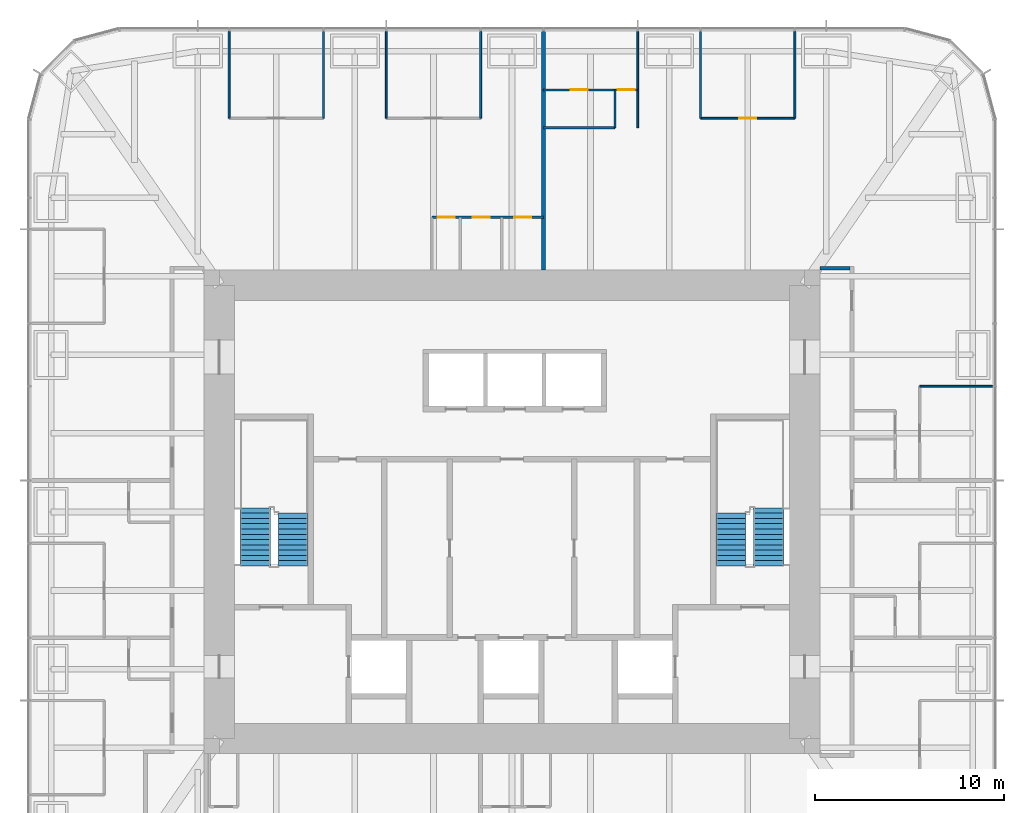
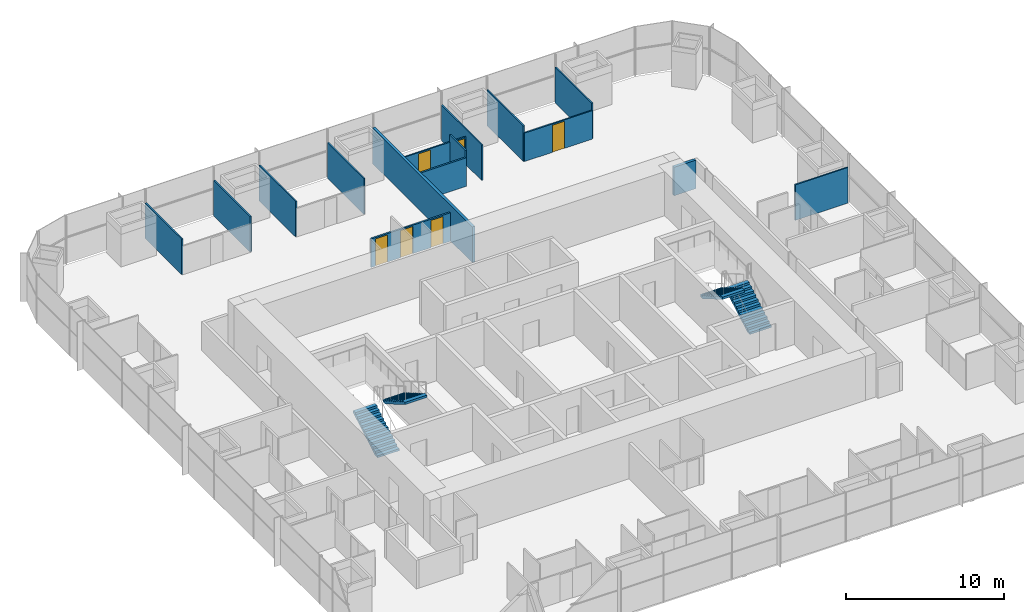
# One storey, part 12 of 13: 15 walls, 6 doors, 4 stair flights, 6 openings, 2 elements without a shape of their own.
"""IFC4 building model written with IfcOpenShell, lengths in metres."""

import ifcopenshell
import ifcopenshell.guid

model = None  # the IFC model being written
_history = None  # IfcOwnerHistory: only IFC2X3 demands one
_inside = {}  # id of a spatial element -> (the spatial element, [elements in it])
_under = {}  # id of a project, library or spatial element -> (it, [spatial elements below it])
_declared = {}  # id of a project -> (the project, [libraries it declares])
_typed = {}  # id of a type object -> (the type object, [elements of that type])
_made_of = {}  # id of a material, layer set ... -> (it, [elements and type objects made of it])


def new_model(schema):
    """Start an empty IFC model of exactly this schema.

    Asked for "IFC4X3", IfcOpenShell would pick the latest addendum, in which some entities
    have other attributes; the version numbers below select the first issue.
    IFC2X3 requires an IfcOwnerHistory on every rooted entity: one is made here for all.
    """
    global model, _history
    if schema == "IFC4X3":
        model = ifcopenshell.file(schema_version=(4, 3, 0, 0))
    else:
        model = ifcopenshell.file(schema=schema)
    _inside.clear()
    _under.clear()
    _declared.clear()
    _typed.clear()
    _made_of.clear()
    _history = None
    if model.schema == "IFC2X3":
        org = make("IfcOrganization", Name="unknown")
        user = make(
            "IfcPersonAndOrganization",
            ThePerson=make("IfcPerson", FamilyName="unknown"),
            TheOrganization=org,
        )
        app = make(
            "IfcApplication",
            ApplicationDeveloper=org,
            Version="unknown",
            ApplicationFullName="unknown",
            ApplicationIdentifier="unknown",
        )
        _history = make(
            "IfcOwnerHistory",
            OwningUser=user,
            OwningApplication=app,
            ChangeAction="ADDED",
            CreationDate=0,
        )
    return model


def make(cls, **values):
    """One entity of the class cls with the attributes given. An attribute that is None is left unset."""
    return model.create_entity(
        cls, **{name: value for name, value in values.items() if value is not None}
    )


def rooted(cls, **values):
    """An entity with a GlobalId (a new one), such as an element, a storey or a relation."""
    return make(cls, GlobalId=ifcopenshell.guid.new(), OwnerHistory=_history, **values)


def si_unit(unit_type, name, prefix=None):
    """IfcSIUnit, for example si_unit("LENGTHUNIT", "METRE", prefix="MILLI")."""
    return make("IfcSIUnit", UnitType=unit_type, Prefix=prefix, Name=name)


def assignment(units):
    """IfcUnitAssignment: the units of a project."""
    return None if units is None else make("IfcUnitAssignment", Units=units)


def point(xyz):
    """IfcCartesianPoint."""
    return None if xyz is None else make("IfcCartesianPoint", Coordinates=xyz)


def direction(xyz):
    """IfcDirection."""
    return None if xyz is None else make("IfcDirection", DirectionRatios=xyz)


def frame(location, z_axis=None, x_axis=None):
    """IfcAxis2Placement3D, a coordinate frame: its origin and axes. An axis left out is left unset."""
    return make(
        "IfcAxis2Placement3D",
        Location=point(location),
        Axis=direction(z_axis),
        RefDirection=direction(x_axis),
    )


def frame_2d(location, x_axis=None):
    """IfcAxis2Placement2D, a coordinate frame in the plane: its origin and x axis."""
    return make(
        "IfcAxis2Placement2D", Location=point(location), RefDirection=direction(x_axis)
    )


def origin():
    """The frame at (0, 0, 0) with its axes left unset."""
    return frame((0.0, 0.0, 0.0))


def place(relative_to, where):
    """IfcLocalPlacement: puts the frame where relative to a parent placement (None: the world)."""
    return make(
        "IfcLocalPlacement", PlacementRelTo=relative_to, RelativePlacement=where
    )


def context(
    kind, dimensions, precision=None, world=None, true_north=None, identifier=None
):
    """IfcGeometricRepresentationContext, for example the 3D "Model" context."""
    return make(
        "IfcGeometricRepresentationContext",
        ContextIdentifier=identifier,
        ContextType=kind,
        CoordinateSpaceDimension=dimensions,
        Precision=precision,
        WorldCoordinateSystem=world,
        TrueNorth=true_north,
    )


def subcontext(parent, identifier, kind, view, scale=None):
    """IfcGeometricRepresentationSubContext, for example "Body" below "Model"."""
    return make(
        "IfcGeometricRepresentationSubContext",
        ContextIdentifier=identifier,
        ContextType=kind,
        ParentContext=parent,
        TargetScale=scale,
        TargetView=view,
    )


def project(units=None, contexts=None):
    """IfcProject with its units and contexts."""
    return rooted(
        "IfcProject",
        Name="project",
        RepresentationContexts=contexts,
        UnitsInContext=assignment(units),
    )


def spatial(cls, under=None, at=None, **own):
    """A site, building, storey or space (cls), placed at a placement, below another one or the project."""
    s = rooted(cls, ObjectPlacement=at, **own)
    if under is not None:
        _under.setdefault(under.id(), (under, []))[1].append(s)
    return s


def polyline(points):
    """IfcPolyline through the points."""
    return make("IfcPolyline", Points=[point(p) for p in points])


def profile(cls, at=None, kind="AREA", **sizes):
    """A parametric profile (cls). Its sizes go by their IFC names, for example OverallWidth=200.0."""
    return make(cls, ProfileType=kind, Position=at, **sizes)


def rectangle(**sizes):
    """IfcRectangleProfileDef."""
    return profile("IfcRectangleProfileDef", **sizes)


def outline(outer, holes=None, kind="AREA"):
    """IfcArbitraryClosedProfileDef: a profile drawn as a closed curve; with holes, ...WithVoids."""
    if holes is None:
        return make("IfcArbitraryClosedProfileDef", ProfileType=kind, OuterCurve=outer)
    return make(
        "IfcArbitraryProfileDefWithVoids",
        ProfileType=kind,
        OuterCurve=outer,
        InnerCurves=holes,
    )


def extrude(swept, where, along, depth):
    """IfcExtrudedAreaSolid: the profile swept, set in the frame where, extruded along a direction by depth."""
    return make(
        "IfcExtrudedAreaSolid",
        SweptArea=swept,
        Position=where,
        ExtrudedDirection=direction(along),
        Depth=depth,
    )


def shape(context_of_items, identifier, shape_type, items):
    """IfcShapeRepresentation: the items that make up one representation, for example the "Body"."""
    return make(
        "IfcShapeRepresentation",
        ContextOfItems=context_of_items,
        RepresentationIdentifier=identifier,
        RepresentationType=shape_type,
        Items=items,
    )


def material(Name=None, Category=None):
    """IfcMaterial."""
    return make("IfcMaterial", Name=Name, Category=Category)


def layer(
    of_material, thickness, ventilated=None, Name=None, Category=None, Priority=None
):
    """IfcMaterialLayer: one layer of a wall or slab, of a material (None: an air gap)."""
    return make(
        "IfcMaterialLayer",
        Material=of_material,
        LayerThickness=thickness,
        IsVentilated=ventilated,
        Name=Name,
        Category=Category,
        Priority=Priority,
    )


def layer_set(layers, Name=None):
    """IfcMaterialLayerSet."""
    return make("IfcMaterialLayerSet", MaterialLayers=layers, LayerSetName=Name)


def made_of(thing, what):
    """Note that an element or type object is made of a material, layer set ...; save() writes the relation."""
    if what is not None:
        _made_of.setdefault(what.id(), (what, []))[1].append(thing)
    return thing


def type_object(cls, material=None, **own):
    """A type object (cls), such as IfcWallType, which elements share."""
    return made_of(rooted(cls, **own), material)


def element(
    cls,
    number,
    at=None,
    inside=None,
    cuts=None,
    type_object=None,
    material=None,
    context=None,
    identifier="Body",
    shape_type=None,
    held_by="IfcProductDefinitionShape",
    body=None,
    shapes=None,
    **own,
):
    """One element of the class cls, such as IfcWall. Its Tag is "e" and its number.

    at: its placement. inside: the storey or other place that contains it. cuts: it is an
    opening in that element (IfcRelVoidsElement). A single representation is given by context,
    identifier, shape_type and body (its items); several are given by shapes. held_by: the class
    of the entity that holds the representations. save() writes the other relations.
    """
    e = rooted(cls, Tag="e%d" % number, ObjectPlacement=at, **own)
    if body is not None:
        shapes = [shape(context, identifier, shape_type, body)]
    if shapes is not None:
        e.Representation = make(held_by, Representations=shapes)
    if inside is not None:
        _inside.setdefault(inside.id(), (inside, []))[1].append(e)
    if cuts is not None:
        rooted(
            "IfcRelVoidsElement", RelatingBuildingElement=cuts, RelatedOpeningElement=e
        )
    if type_object is not None:
        _typed.setdefault(type_object.id(), (type_object, []))[1].append(e)
    return made_of(e, material)


def fill(opening, filler):
    """IfcRelFillsElement: the door or window that sits in an opening."""
    return rooted(
        "IfcRelFillsElement",
        RelatingOpeningElement=opening,
        RelatedBuildingElement=filler,
    )


def aggregate(whole, parts):
    """IfcRelAggregates: a whole, such as a stair, and the parts it consists of."""
    return rooted("IfcRelAggregates", RelatingObject=whole, RelatedObjects=parts)


def save(model, path):
    """Write the relations noted so far, then the file.

    IfcRelAggregates (storeys below a building ...), IfcRelContainedInSpatialStructure (elements
    in a storey), IfcRelDefinesByType, IfcRelAssociatesMaterial and IfcRelDeclares: one each for
    every whole, place, type object, material and project.
    """
    for whole, parts in _under.values():
        aggregate(whole, parts)
    for where, things in _inside.values():
        rooted(
            "IfcRelContainedInSpatialStructure",
            RelatedElements=things,
            RelatingStructure=where,
        )
    for kind, things in _typed.values():
        rooted("IfcRelDefinesByType", RelatedObjects=things, RelatingType=kind)
    for what, things in _made_of.values():
        rooted("IfcRelAssociatesMaterial", RelatedObjects=things, RelatingMaterial=what)
    for by, libraries in _declared.values():
        rooted("IfcRelDeclares", RelatingContext=by, RelatedDefinitions=libraries)
    model.write(path)


model = new_model("IFC4")

# Units and contexts
model_context = context("Model", 3, precision=1e-05, world=origin(), true_north=direction((0.0, 1.0)))
body_context = subcontext(model_context, "Body", "Model", "MODEL_VIEW")
ifc_project = project(units=[si_unit("LENGTHUNIT", "METRE"), si_unit("AREAUNIT", "SQUARE_METRE"), si_unit("VOLUMEUNIT", "CUBIC_METRE"), si_unit("PLANEANGLEUNIT", "RADIAN"), si_unit("MASSUNIT", "GRAM", prefix="KILO")], contexts=[model_context])

# Site, building, storey
site_placement = place(None, origin())
site = spatial("IfcSite", under=ifc_project, at=site_placement, CompositionType="ELEMENT")
building_placement = place(site_placement, origin())
building = spatial("IfcBuilding", under=site, at=building_placement, Name="Khuree Lantern Residences", CompositionType="ELEMENT")
storey_placement = place(building_placement, frame((0.0, 0.0, 274.5)))
storey = spatial("IfcBuildingStorey", under=building, at=storey_placement, Name="L69", CompositionType="ELEMENT", Elevation=274.5)

# Wall
ifc_material_1 = material(Name="Moisture-resistant gypsum board on steel studs", Category="steel")
ifc_layer_1 = layer(ifc_material_1, 0.125)
ifc_layer_set_1 = layer_set([ifc_layer_1], Name="BATHROOM WALL BTW125")
wall_type_1 = type_object("IfcWallType", Name="BATHROOM WALL BTW125", PredefinedType="PARTITIONING", material=ifc_layer_set_1)
wall_1_placement = place(storey_placement, frame((5.4560546875, 20.344970703125, 0.0), z_axis=(0.0, 0.0, 1.0), x_axis=(-1.0, 0.0, 0.0)))
element("IfcWall", 1, at=wall_1_placement, inside=storey, type_object=wall_type_1, Name="L69 BATHROOM WALL 02", PredefinedType="PARTITIONING", context=body_context, shape_type="SweptSolid", body=[
    extrude(rectangle(XDim=3.7919921875, YDim=0.125, at=frame_2d((1.89599609375, 0.0))), origin(), (0.0, 0.0, 1.0), 2.199951171875),
])

# Wall, openings, doors
wall_2_placement = place(storey_placement, frame((1.6640625, 15.60009765625, 0.0), z_axis=(0.0, 0.0, 1.0), x_axis=(-1.0, 0.0, 0.0)))
wall_2 = element("IfcWall", 2, at=wall_2_placement, inside=storey, type_object=wall_type_1, Name="L69 BATHROOM WALL 03", PredefinedType="PARTITIONING", context=body_context, shape_type="SweptSolid", body=[
    extrude(rectangle(XDim=5.900146484375, YDim=0.125, at=frame_2d((2.9501953125, 0.0))), origin(), (0.0, 0.0, 1.0), 2.199951171875),
])
opening_1_placement = place(wall_2_placement, frame((0.64990234375, 0.0, 0.0)))
opening_1 = element("IfcOpeningElement", 3, at=opening_1_placement, cuts=wall_2, Name="Opening 69-033", PredefinedType="OPENING", context=body_context, shape_type="SweptSolid", body=[
    extrude(rectangle(XDim=0.89990234375, YDim=2.10009765625, at=frame_2d((0.449951171875, 1.050048828125))), frame((0.0, 0.072509765625, 0.0), z_axis=(0.0, -1.0, 0.0), x_axis=(1.0, 0.0, 0.0)), (0.0, 0.0, 1.0), 0.14501953125),
])
opening_2_placement = place(wall_2_placement, frame((2.85009765625, 0.0, 0.0)))
opening_2 = element("IfcOpeningElement", 4, at=opening_2_placement, cuts=wall_2, Name="Opening 69-034", PredefinedType="OPENING", context=body_context, shape_type="SweptSolid", body=[
    extrude(rectangle(XDim=0.89990234375, YDim=2.10009765625, at=frame_2d((0.449951171875, 1.050048828125))), frame((0.0, 0.072509765625, 0.0), z_axis=(0.0, -1.0, 0.0), x_axis=(1.0, 0.0, 0.0)), (0.0, 0.0, 1.0), 0.14501953125),
])
opening_3_placement = place(wall_2_placement, frame((4.699951171875, 0.0, 0.0)))
opening_3 = element("IfcOpeningElement", 5, at=opening_3_placement, cuts=wall_2, Name="Opening 69-035", PredefinedType="OPENING", context=body_context, shape_type="SweptSolid", body=[
    extrude(rectangle(XDim=0.89990234375, YDim=2.10009765625, at=frame_2d((0.449951171875, 1.050048828125))), frame((0.0, 0.072509765625, 0.0), z_axis=(0.0, -1.0, 0.0), x_axis=(1.0, 0.0, 0.0)), (0.0, 0.0, 1.0), 0.14501953125),
])
ifc_material_2 = material(Name="Timber door leaf in hardwood frame", Category="wood")
door_type_1 = type_object("IfcDoorType", Name="BATHROOM DOOR 900X2100", OperationType="SINGLE_SWING_LEFT", PredefinedType="DOOR", material=ifc_material_2)
door_1_placement = place(opening_1_placement, origin())
door_1 = element("IfcDoor", 6, at=door_1_placement, inside=storey, type_object=door_type_1, Name="Bathroom door 69-033", OperationType="SINGLE_SWING_LEFT", OverallHeight=2.10009765625, OverallWidth=0.89990234375, PredefinedType="DOOR", context=body_context, shape_type="SweptSolid", body=[
    extrude(rectangle(XDim=0.89990234375, YDim=2.10009765625, at=frame_2d((0.449951171875, 1.050048828125))), frame((0.0, 0.02490234375, 0.0), z_axis=(0.0, -1.0, 0.0), x_axis=(1.0, 0.0, 0.0)), (0.0, 0.0, 1.0), 0.050048828125),
])
fill(opening_1, door_1)
door_2_placement = place(opening_2_placement, origin())
door_2 = element("IfcDoor", 7, at=door_2_placement, inside=storey, type_object=door_type_1, Name="Bathroom door 69-034", OperationType="SINGLE_SWING_LEFT", OverallHeight=2.10009765625, OverallWidth=0.89990234375, PredefinedType="DOOR", context=body_context, shape_type="SweptSolid", body=[
    extrude(rectangle(XDim=0.89990234375, YDim=2.10009765625, at=frame_2d((0.449951171875, 1.050048828125))), frame((0.0, 0.02490234375, 0.0), z_axis=(0.0, -1.0, 0.0), x_axis=(1.0, 0.0, 0.0)), (0.0, 0.0, 1.0), 0.050048828125),
])
fill(opening_2, door_2)
door_type_2 = type_object("IfcDoorType", Name="WC DOOR 900X2100", OperationType="SINGLE_SWING_LEFT", PredefinedType="DOOR", material=ifc_material_2)
door_3_placement = place(opening_3_placement, origin())
door_3 = element("IfcDoor", 8, at=door_3_placement, inside=storey, type_object=door_type_2, Name="WC door 69-035", OperationType="SINGLE_SWING_LEFT", OverallHeight=2.10009765625, OverallWidth=0.89990234375, PredefinedType="DOOR", context=body_context, shape_type="SweptSolid", body=[
    extrude(rectangle(XDim=0.89990234375, YDim=2.10009765625, at=frame_2d((0.449951171875, 1.050048828125))), frame((0.0, 0.02490234375, 0.0), z_axis=(0.0, -1.0, 0.0), x_axis=(1.0, 0.0, 0.0)), (0.0, 0.0, 1.0), 0.050048828125),
])
fill(opening_3, door_3)

# Walls
ifc_material_3 = material(Name="Gypsum board on steel studs", Category="steel")
ifc_layer_2 = layer(ifc_material_3, 0.199951171875)
ifc_layer_set_2 = layer_set([ifc_layer_2], Name="CORRIDOR WALL CRW200 EI 60")
wall_type_2 = type_object("IfcWallType", Name="CORRIDOR WALL CRW200 EI 60", PredefinedType="PARTITIONING", material=ifc_layer_set_2)
wall_3_placement = place(storey_placement, frame((16.300048828125, 12.89990234375, 0.0), z_axis=(0.0, 0.0, 1.0), x_axis=(1.0, 0.0, 0.0)))
element("IfcWall", 9, at=wall_3_placement, inside=storey, type_object=wall_type_2, Name="L69 EAST CORRIDOR NORTH END WALL", PredefinedType="PARTITIONING", context=body_context, shape_type="SweptSolid", body=[
    extrude(rectangle(XDim=1.599853515625, YDim=0.199951171875, at=frame_2d((0.7998046875, 0.0))), origin(), (0.0, 0.0, 1.0), 2.199951171875),
])
ifc_layer_3 = layer(ifc_material_3, 0.199951171875)
ifc_layer_set_3 = layer_set([ifc_layer_3], Name="DEMISING WALL DMW200 EI 90")
wall_type_3 = type_object("IfcWallType", Name="DEMISING WALL DMW200 EI 90", PredefinedType="PARTITIONING", material=ifc_layer_set_3)
wall_4_placement = place(storey_placement, frame((1.6640625, 12.800048828125, 0.0), z_axis=(0.0, 0.0, 1.0), x_axis=(0.0, 1.0, 0.0)))
element("IfcWall", 10, at=wall_4_placement, inside=storey, type_object=wall_type_3, Name="L69 DEMISING WALL 03", PredefinedType="PARTITIONING", context=body_context, shape_type="SweptSolid", body=[
    extrude(rectangle(XDim=12.64990234375, YDim=0.199951171875, at=frame_2d((6.324951171875, 0.0))), origin(), (0.0, 0.0, 1.0), 2.75),
])
ifc_layer_4 = layer(ifc_material_3, 0.10009765625)
ifc_layer_set_4 = layer_set([ifc_layer_4], Name="PARTITION PT100")
wall_type_4 = type_object("IfcWallType", Name="PARTITION PT100", PredefinedType="PARTITIONING", material=ifc_layer_set_4)
wall_5_placement = place(storey_placement, frame((21.60009765625, 6.656005859375, 0.0), z_axis=(0.0, 0.0, 1.0), x_axis=(1.0, 0.0, 0.0)))
element("IfcWall", 11, at=wall_5_placement, inside=storey, type_object=wall_type_4, Name="L69 PARTITION 02", PredefinedType="PARTITIONING", context=body_context, shape_type="SweptSolid", body=[
    extrude(rectangle(XDim=3.849853515625, YDim=0.10009765625, at=frame_2d((1.9248046875, 0.0))), origin(), (0.0, 0.0, 1.0), 2.75),
])
for number, where, z_axis, x_axis, name in (
    (12, (14.97607421875, 20.85009765625, 0.0), (0.0, 0.0, 1.0), (0.0, 1.0, 0.0), "L69 PARTITION 02"),
    (13, (9.98388671875, 20.85009765625, 0.0), (0.0, 0.0, 1.0), (0.0, 1.0, 0.0), "L69 PARTITION 02"),
):
    element("IfcWall", number, at=place(storey_placement, frame(where, z_axis=z_axis, x_axis=x_axis)), inside=storey, type_object=wall_type_4, Name=name, PredefinedType="PARTITIONING", context=body_context, shape_type="SweptSolid", body=[
        extrude(rectangle(XDim=4.599853515625, YDim=0.10009765625, at=frame_2d((2.2998046875, 0.0))), origin(), (0.0, 0.0, 1.0), 2.75),
    ])
wall_6_placement = place(storey_placement, frame((6.656005859375, 20.344970703125, 0.0), z_axis=(0.0, 0.0, 1.0), x_axis=(0.0, 1.0, 0.0)))
element("IfcWall", 14, at=wall_6_placement, inside=storey, type_object=wall_type_4, Name="L69 PARTITION 02", PredefinedType="PARTITIONING", context=body_context, shape_type="SweptSolid", body=[
    extrude(rectangle(XDim=5.10498046875, YDim=0.10009765625, at=frame_2d((2.552490234375, 0.0))), origin(), (0.0, 0.0, 1.0), 2.75),
])
for number, where, z_axis, x_axis, name in (
    (15, (-1.6640625, 20.85009765625, 0.0), (0.0, 0.0, 1.0), (0.0, 1.0, 0.0), "L69 PARTITION 03"),
    (16, (-6.656005859375, 20.85009765625, 0.0), (0.0, 0.0, 1.0), (0.0, 1.0, 0.0), "L69 PARTITION 03"),
    (17, (-9.98388671875, 20.85009765625, 0.0), (0.0, 0.0, 1.0), (0.0, 1.0, 0.0), "L69 PARTITION 03"),
    (18, (-14.97607421875, 20.85009765625, 0.0), (0.0, 0.0, 1.0), (0.0, 1.0, 0.0), "L69 PARTITION 03"),
):
    element("IfcWall", number, at=place(storey_placement, frame(where, z_axis=z_axis, x_axis=x_axis)), inside=storey, type_object=wall_type_4, Name=name, PredefinedType="PARTITIONING", context=body_context, shape_type="SweptSolid", body=[
        extrude(rectangle(XDim=4.599853515625, YDim=0.10009765625, at=frame_2d((2.2998046875, 0.0))), origin(), (0.0, 0.0, 1.0), 2.75),
    ])

# Wall, opening, door
wall_7_placement = place(storey_placement, frame((14.97607421875, 20.85009765625, 0.0), z_axis=(0.0, 0.0, 1.0), x_axis=(-1.0, 0.0, 0.0)))
wall_7 = element("IfcWall", 19, at=wall_7_placement, inside=storey, type_object=wall_type_4, Name="L69 PARTITION 02", PredefinedType="PARTITIONING", context=body_context, shape_type="SweptSolid", body=[
    extrude(rectangle(XDim=4.9921875, YDim=0.10009765625, at=frame_2d((2.49609375, 0.0))), origin(), (0.0, 0.0, 1.0), 2.199951171875),
])
opening_4_placement = place(wall_7_placement, frame((2.0458984375, 0.0, 0.0)))
opening_4 = element("IfcOpeningElement", 20, at=opening_4_placement, cuts=wall_7, Name="Opening 69-024", PredefinedType="OPENING", context=body_context, shape_type="SweptSolid", body=[
    extrude(rectangle(XDim=0.89990234375, YDim=2.10009765625, at=frame_2d((0.449951171875, 1.050048828125))), frame((0.0, 0.06005859375, 0.0), z_axis=(0.0, -1.0, 0.0), x_axis=(1.0, 0.0, 0.0)), (0.0, 0.0, 1.0), 0.1201171875),
])
door_type_3 = type_object("IfcDoorType", Name="BEDROOM DOOR 900X2100", OperationType="SINGLE_SWING_LEFT", PredefinedType="DOOR", material=ifc_material_2)
door_4_placement = place(opening_4_placement, origin())
door_4 = element("IfcDoor", 21, at=door_4_placement, inside=storey, type_object=door_type_3, Name="Bedroom door 69-024", OperationType="SINGLE_SWING_LEFT", OverallHeight=2.10009765625, OverallWidth=0.89990234375, PredefinedType="DOOR", context=body_context, shape_type="SweptSolid", body=[
    extrude(rectangle(XDim=0.89990234375, YDim=2.10009765625, at=frame_2d((0.449951171875, 1.050048828125))), frame((0.0, 0.02490234375, 0.0), z_axis=(0.0, -1.0, 0.0), x_axis=(1.0, 0.0, 0.0)), (0.0, 0.0, 1.0), 0.050048828125),
])
fill(opening_4, door_4)

# Wall, openings, doors
wall_8_placement = place(storey_placement, frame((6.656005859375, 22.344970703125, 0.0), z_axis=(0.0, 0.0, 1.0), x_axis=(-1.0, 0.0, 0.0)))
wall_8 = element("IfcWall", 22, at=wall_8_placement, inside=storey, type_object=wall_type_4, Name="L69 PARTITION 02", PredefinedType="PARTITIONING", context=body_context, shape_type="SweptSolid", body=[
    extrude(rectangle(XDim=4.991943359375, YDim=0.10009765625, at=frame_2d((2.49609375, 0.0))), origin(), (0.0, 0.0, 1.0), 2.199951171875),
])
opening_5_placement = place(wall_8_placement, frame((0.14990234375, 0.0, 0.0)))
opening_5 = element("IfcOpeningElement", 23, at=opening_5_placement, cuts=wall_8, Name="Opening 69-025", PredefinedType="OPENING", context=body_context, shape_type="SweptSolid", body=[
    extrude(rectangle(XDim=0.89990234375, YDim=2.10009765625, at=frame_2d((0.449951171875, 1.050048828125))), frame((0.0, 0.06005859375, 0.0), z_axis=(0.0, -1.0, 0.0), x_axis=(1.0, 0.0, 0.0)), (0.0, 0.0, 1.0), 0.1201171875),
])
opening_6_placement = place(wall_8_placement, frame((2.64599609375, 0.0, 0.0)))
opening_6 = element("IfcOpeningElement", 24, at=opening_6_placement, cuts=wall_8, Name="Opening 69-026", PredefinedType="OPENING", context=body_context, shape_type="SweptSolid", body=[
    extrude(rectangle(XDim=0.89990234375, YDim=2.10009765625, at=frame_2d((0.449951171875, 1.050048828125))), frame((0.0, 0.06005859375, 0.0), z_axis=(0.0, -1.0, 0.0), x_axis=(1.0, 0.0, 0.0)), (0.0, 0.0, 1.0), 0.1201171875),
])
door_type_4 = type_object("IfcDoorType", Name="BATHROOM DOOR 900X2100 RIGHT HAND", OperationType="SINGLE_SWING_RIGHT", PredefinedType="DOOR", material=ifc_material_2)
door_5_placement = place(opening_6_placement, origin())
door_5 = element("IfcDoor", 25, at=door_5_placement, inside=storey, type_object=door_type_4, Name="Bathroom door 69-026", OperationType="SINGLE_SWING_RIGHT", OverallHeight=2.10009765625, OverallWidth=0.89990234375, PredefinedType="DOOR", context=body_context, shape_type="SweptSolid", body=[
    extrude(rectangle(XDim=0.89990234375, YDim=2.10009765625, at=frame_2d((0.449951171875, 1.050048828125))), frame((0.0, 0.02490234375, 0.0), z_axis=(0.0, -1.0, 0.0), x_axis=(1.0, 0.0, 0.0)), (0.0, 0.0, 1.0), 0.050048828125),
])
fill(opening_6, door_5)
door_6_placement = place(opening_5_placement, origin())
door_6 = element("IfcDoor", 26, at=door_6_placement, inside=storey, type_object=door_type_3, Name="Bedroom door 69-025", OperationType="SINGLE_SWING_LEFT", OverallHeight=2.10009765625, OverallWidth=0.89990234375, PredefinedType="DOOR", context=body_context, shape_type="SweptSolid", body=[
    extrude(rectangle(XDim=0.89990234375, YDim=2.10009765625, at=frame_2d((0.449951171875, 1.050048828125))), frame((0.0, 0.02490234375, 0.0), z_axis=(0.0, -1.0, 0.0), x_axis=(1.0, 0.0, 0.0)), (0.0, 0.0, 1.0), 0.050048828125),
])
fill(opening_5, door_6)

# Wall
wall_9_placement = place(storey_placement, frame((5.4560546875, 20.344970703125, 0.0), z_axis=(0.0, 0.0, 1.0), x_axis=(0.0, 1.0, 0.0)))
element("IfcWall", 27, at=wall_9_placement, inside=storey, type_object=wall_type_4, Name="L69 PARTITION 02", PredefinedType="PARTITIONING", context=body_context, shape_type="SweptSolid", body=[
    extrude(rectangle(XDim=2.0, YDim=0.10009765625, at=frame_2d((1.0, 0.0))), origin(), (0.0, 0.0, 1.0), 2.75),
])

# Stair, stair flights
ifc_material_4 = material(Name="Concrete C40/50", Category="concrete")
stair_type = type_object("IfcStairType", Name="STAIR ST1 HALF TURN 3600", PredefinedType="HALF_TURN_STAIR", material=ifc_material_4)
stair_1_placement = place(storey_placement, origin())
stair_1 = element("IfcStair", 28, at=stair_1_placement, inside=storey, type_object=stair_type, Name="Stair ST1", PredefinedType="HALF_TURN_STAIR")
stair_flight_type = type_object("IfcStairFlightType", Name="STAIR FLIGHT SF1 1600", PredefinedType="STRAIGHT", material=ifc_material_4)
stair_flight_1_placement = place(storey_placement, frame((-13.60009765625, -2.860107421875, 0.0), z_axis=(0.0, 0.0, 1.0), x_axis=(0.0, 1.0, 0.0)))
stair_flight_1 = element("IfcStairFlight", 29, at=stair_flight_1_placement, type_object=stair_flight_type, Name="ST1 flight 1", NumberOfRisers=12, NumberOfTreads=11, PredefinedType="STRAIGHT", RiserHeight=0.163043478, TreadLength=0.28, context=body_context, shape_type="SweptSolid", body=[
    extrude(outline(polyline([(0.0, 0.0), (0.0, 0.1630859375), (0.280029296875, 0.1630859375), (0.280029296875, 0.326171875), (0.56005859375, 0.326171875), (0.56005859375, 0.489013671875), (0.840087890625, 0.489013671875), (0.840087890625, 0.652099609375), (1.1201171875, 0.652099609375), (1.1201171875, 0.815185546875), (1.39990234375, 0.815185546875), (1.39990234375, 0.978271484375), (1.679931640625, 0.978271484375), (1.679931640625, 1.141357421875), (1.9599609375, 1.141357421875), (1.9599609375, 1.304443359375), (2.239990234375, 1.304443359375), (2.239990234375, 1.46728515625), (2.52001953125, 1.46728515625), (2.52001953125, 1.63037109375), (2.800048828125, 1.63037109375), (2.800048828125, 1.79345703125), (3.080078125, 1.79345703125), (3.080078125, 1.95654296875), (3.080078125, 1.6201171875), (0.2978515625, 0.0), (0.0, 0.0)])), frame((0.0, 0.800048828125, 0.0), z_axis=(0.0, -1.0, 0.0), x_axis=(1.0, 0.0, 0.0)), (0.0, 0.0, 1.0), 1.60009765625),
])
stair_flight_2_placement = place(storey_placement, frame((-11.60009765625, -0.06005859375, 1.95654296875), z_axis=(0.0, 0.0, 1.0), x_axis=(0.0, -1.0, 0.0)))
stair_flight_2 = element("IfcStairFlight", 30, at=stair_flight_2_placement, type_object=stair_flight_type, Name="ST1 flight 2", NumberOfRisers=11, NumberOfTreads=10, PredefinedType="STRAIGHT", RiserHeight=0.163043478, TreadLength=0.28, context=body_context, shape_type="SweptSolid", body=[
    extrude(outline(polyline([(0.0, 0.0), (0.0, 0.1630859375), (0.280029296875, 0.1630859375), (0.280029296875, 0.326171875), (0.56005859375, 0.326171875), (0.56005859375, 0.489013671875), (0.840087890625, 0.489013671875), (0.840087890625, 0.652099609375), (1.1201171875, 0.652099609375), (1.1201171875, 0.815185546875), (1.39990234375, 0.815185546875), (1.39990234375, 0.978271484375), (1.679931640625, 0.978271484375), (1.679931640625, 1.141357421875), (1.9599609375, 1.141357421875), (1.9599609375, 1.304443359375), (2.239990234375, 1.304443359375), (2.239990234375, 1.46728515625), (2.52001953125, 1.46728515625), (2.52001953125, 1.63037109375), (2.800048828125, 1.63037109375), (2.800048828125, 1.79345703125), (2.800048828125, 1.45703125), (0.2978515625, 0.0), (0.0, 0.0)])), frame((0.0, 0.800048828125, 0.0), z_axis=(0.0, -1.0, 0.0), x_axis=(1.0, 0.0, 0.0)), (0.0, 0.0, 1.0), 1.60009765625),
])
aggregate(stair_1, [stair_flight_1, stair_flight_2])

stair_2_placement = place(storey_placement, origin())
stair_2 = element("IfcStair", 31, at=stair_2_placement, inside=storey, type_object=stair_type, Name="Stair ST2", PredefinedType="HALF_TURN_STAIR")
stair_flight_3_placement = place(storey_placement, frame((13.60009765625, -2.860107421875, 0.0), z_axis=(0.0, 0.0, 1.0), x_axis=(0.0, 1.0, 0.0)))
stair_flight_3 = element("IfcStairFlight", 32, at=stair_flight_3_placement, type_object=stair_flight_type, Name="ST2 flight 1", NumberOfRisers=12, NumberOfTreads=11, PredefinedType="STRAIGHT", RiserHeight=0.163043478, TreadLength=0.28, context=body_context, shape_type="SweptSolid", body=[
    extrude(outline(polyline([(0.0, 0.0), (0.0, 0.1630859375), (0.280029296875, 0.1630859375), (0.280029296875, 0.326171875), (0.56005859375, 0.326171875), (0.56005859375, 0.489013671875), (0.840087890625, 0.489013671875), (0.840087890625, 0.652099609375), (1.1201171875, 0.652099609375), (1.1201171875, 0.815185546875), (1.39990234375, 0.815185546875), (1.39990234375, 0.978271484375), (1.679931640625, 0.978271484375), (1.679931640625, 1.141357421875), (1.9599609375, 1.141357421875), (1.9599609375, 1.304443359375), (2.239990234375, 1.304443359375), (2.239990234375, 1.46728515625), (2.52001953125, 1.46728515625), (2.52001953125, 1.63037109375), (2.800048828125, 1.63037109375), (2.800048828125, 1.79345703125), (3.080078125, 1.79345703125), (3.080078125, 1.95654296875), (3.080078125, 1.6201171875), (0.2978515625, 0.0), (0.0, 0.0)])), frame((0.0, 0.800048828125, 0.0), z_axis=(0.0, -1.0, 0.0), x_axis=(1.0, 0.0, 0.0)), (0.0, 0.0, 1.0), 1.60009765625),
])
stair_flight_4_placement = place(storey_placement, frame((11.60009765625, -0.06005859375, 1.95654296875), z_axis=(0.0, 0.0, 1.0), x_axis=(0.0, -1.0, 0.0)))
stair_flight_4 = element("IfcStairFlight", 33, at=stair_flight_4_placement, type_object=stair_flight_type, Name="ST2 flight 2", NumberOfRisers=11, NumberOfTreads=10, PredefinedType="STRAIGHT", RiserHeight=0.163043478, TreadLength=0.28, context=body_context, shape_type="SweptSolid", body=[
    extrude(outline(polyline([(0.0, 0.0), (0.0, 0.1630859375), (0.280029296875, 0.1630859375), (0.280029296875, 0.326171875), (0.56005859375, 0.326171875), (0.56005859375, 0.489013671875), (0.840087890625, 0.489013671875), (0.840087890625, 0.652099609375), (1.1201171875, 0.652099609375), (1.1201171875, 0.815185546875), (1.39990234375, 0.815185546875), (1.39990234375, 0.978271484375), (1.679931640625, 0.978271484375), (1.679931640625, 1.141357421875), (1.9599609375, 1.141357421875), (1.9599609375, 1.304443359375), (2.239990234375, 1.304443359375), (2.239990234375, 1.46728515625), (2.52001953125, 1.46728515625), (2.52001953125, 1.63037109375), (2.800048828125, 1.63037109375), (2.800048828125, 1.79345703125), (2.800048828125, 1.45703125), (0.2978515625, 0.0), (0.0, 0.0)])), frame((0.0, 0.800048828125, 0.0), z_axis=(0.0, -1.0, 0.0), x_axis=(1.0, 0.0, 0.0)), (0.0, 0.0, 1.0), 1.60009765625),
])
aggregate(stair_2, [stair_flight_3, stair_flight_4])

save(model, "model.ifc")
